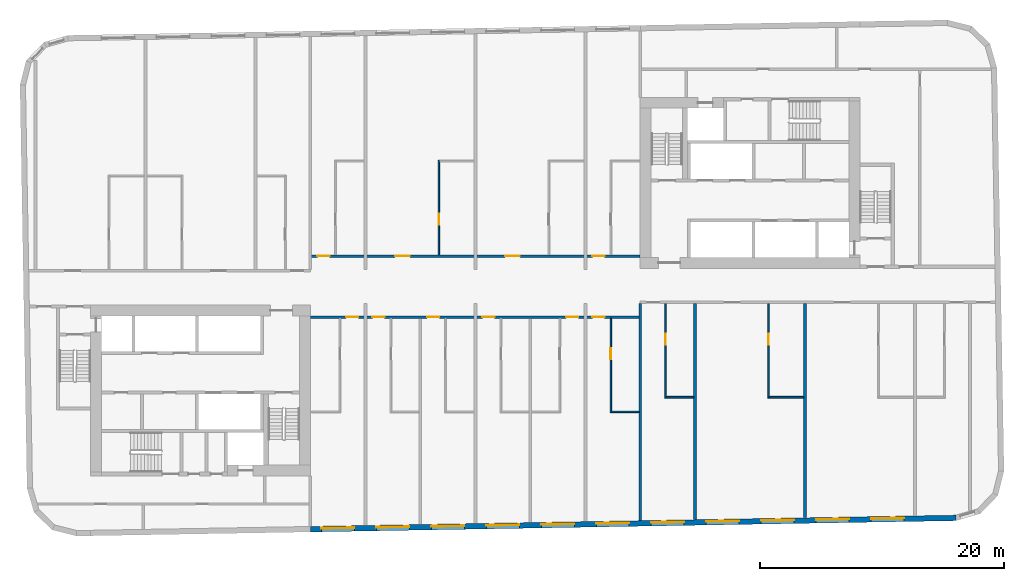
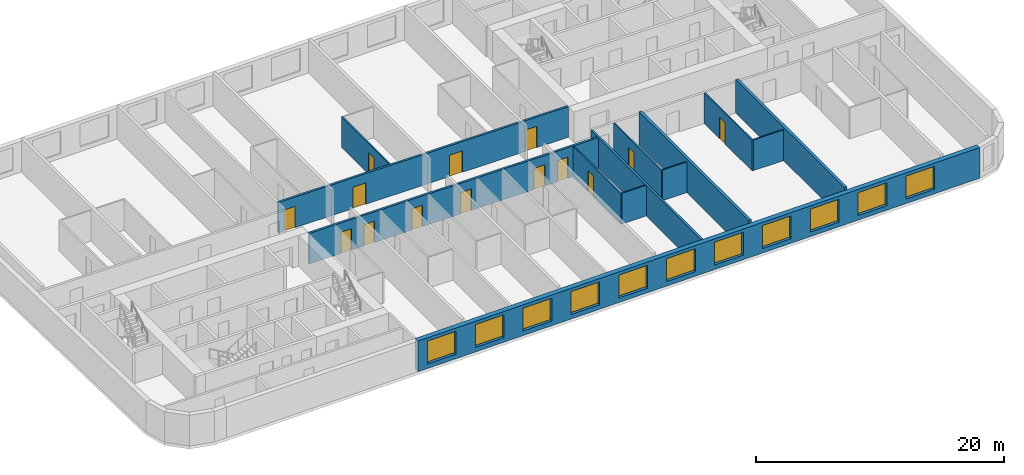
# One storey, part 4 of 11: 14 doors, 13 walls, 11 windows, 25 openings.
"""IFC4 building model written with IfcOpenShell, lengths in metres."""

from ifc_helpers import new_model, si_unit, direction, frame, frame_2d, origin, place, context, subcontext, project, spatial, rectangle, extrude, material, layer, layer_set, type_object, element, fill, save


model = new_model("IFC4")

# Units and contexts
model_context = context("Model", 3, precision=1e-05, world=origin(), true_north=direction((0.0, 1.0)))
body_context = subcontext(model_context, "Body", "Model", "MODEL_VIEW")
ifc_project = project(units=[si_unit("LENGTHUNIT", "METRE"), si_unit("AREAUNIT", "SQUARE_METRE"), si_unit("VOLUMEUNIT", "CUBIC_METRE"), si_unit("PLANEANGLEUNIT", "RADIAN"), si_unit("MASSUNIT", "GRAM", prefix="KILO")], contexts=[model_context])

# Site, building, storey
site_placement = place(None, origin())
site = spatial("IfcSite", under=ifc_project, at=site_placement, CompositionType="ELEMENT")
building_placement = place(site_placement, origin())
building = spatial("IfcBuilding", under=site, at=building_placement, Name="Kajstack Hotel Tower", CompositionType="ELEMENT")
storey_placement = place(building_placement, frame((0.0, 0.0, 244.10009765625)))
storey = spatial("IfcBuildingStorey", under=building, at=storey_placement, Name="L60", CompositionType="ELEMENT", Elevation=244.10009765625)

# Wall, openings, doors
ifc_material_1 = material(Name="Gypsum board on steel studs, mineral wool", Category="steel")
ifc_layer_1 = layer(ifc_material_1, 0.199951171875)
ifc_layer_set_1 = layer_set([ifc_layer_1], Name="Corridor wall 200")
wall_type_1 = type_object("IfcWallType", Name="Corridor wall 200", PredefinedType="PARTITIONING", material=ifc_layer_set_1)
wall_1_placement = place(storey_placement, frame((-13.5, 2.5, 0.0), z_axis=(0.0, 0.0, 1.0), x_axis=(1.0, 0.0, 0.0)))
wall_1 = element("IfcWall", 1, at=wall_1_placement, inside=storey, type_object=wall_type_1, Name="G-wall-L60-004", PredefinedType="PARTITIONING", context=body_context, shape_type="SweptSolid", body=[
    extrude(rectangle(XDim=27.0, YDim=0.199951171875, at=frame_2d((13.5, 0.0))), origin(), (0.0, 0.0, 1.0), 3.02001953125),
])
opening_1_placement = place(wall_1_placement, frame((0.574951171875, 0.0, 0.0)))
opening_1 = element("IfcOpeningElement", 2, at=opening_1_placement, cuts=wall_1, Name="Opening 60007", PredefinedType="OPENING", context=body_context, shape_type="SweptSolid", body=[
    extrude(rectangle(XDim=1.0, YDim=2.10009765625, at=frame_2d((0.5, 1.050048828125))), frame((0.0, 0.10986328125, 0.0), z_axis=(0.0, -1.0, 0.0), x_axis=(1.0, 0.0, 0.0)), (0.0, 0.0, 1.0), 0.219970703125),
])
opening_2_placement = place(wall_1_placement, frame((6.93798828125, 0.0, 0.0)))
opening_2 = element("IfcOpeningElement", 3, at=opening_2_placement, cuts=wall_1, Name="Opening 60009", PredefinedType="OPENING", context=body_context, shape_type="SweptSolid", body=[
    extrude(rectangle(XDim=1.199951171875, YDim=2.10009765625, at=frame_2d((0.60009765625, 1.050048828125))), frame((0.0, 0.10986328125, 0.0), z_axis=(0.0, -1.0, 0.0), x_axis=(1.0, 0.0, 0.0)), (0.0, 0.0, 1.0), 0.219970703125),
])
opening_3_placement = place(wall_1_placement, frame((15.93798828125, 0.0, 0.0)))
opening_3 = element("IfcOpeningElement", 4, at=opening_3_placement, cuts=wall_1, Name="Opening 60011", PredefinedType="OPENING", context=body_context, shape_type="SweptSolid", body=[
    extrude(rectangle(XDim=1.199951171875, YDim=2.10009765625, at=frame_2d((0.60009765625, 1.050048828125))), frame((0.0, 0.10986328125, 0.0), z_axis=(0.0, -1.0, 0.0), x_axis=(1.0, 0.0, 0.0)), (0.0, 0.0, 1.0), 0.219970703125),
])
opening_4_placement = place(wall_1_placement, frame((23.074951171875, 0.0, 0.0)))
opening_4 = element("IfcOpeningElement", 5, at=opening_4_placement, cuts=wall_1, Name="Opening 60013", PredefinedType="OPENING", context=body_context, shape_type="SweptSolid", body=[
    extrude(rectangle(XDim=1.0, YDim=2.10009765625, at=frame_2d((0.5, 1.050048828125))), frame((0.0, 0.10986328125, 0.0), z_axis=(0.0, -1.0, 0.0), x_axis=(1.0, 0.0, 0.0)), (0.0, 0.0, 1.0), 0.219970703125),
])
ifc_material_2 = material(Name="Oak veneer on timber core, fire-rated leaf", Category="wood")
door_type_1 = type_object("IfcDoorType", Name="Flat entrance door 1000", OperationType="SINGLE_SWING_LEFT", PredefinedType="DOOR", material=ifc_material_2)
door_1_placement = place(opening_1_placement, origin())
door_1 = element("IfcDoor", 6, at=door_1_placement, inside=storey, type_object=door_type_1, Name="G-door-L60-07", OperationType="SINGLE_SWING_LEFT", OverallHeight=2.10009765625, OverallWidth=1.0, PredefinedType="DOOR", context=body_context, shape_type="SweptSolid", body=[
    extrude(rectangle(XDim=1.0, YDim=2.10009765625, at=frame_2d((0.5, 1.050048828125))), frame((0.0, 0.02490234375, 0.0), z_axis=(0.0, -1.0, 0.0), x_axis=(1.0, 0.0, 0.0)), (0.0, 0.0, 1.0), 0.050048828125),
])
fill(opening_1, door_1)
door_2_placement = place(opening_4_placement, origin())
door_2 = element("IfcDoor", 7, at=door_2_placement, inside=storey, type_object=door_type_1, Name="G-door-L60-13", OperationType="SINGLE_SWING_RIGHT", OverallHeight=2.10009765625, OverallWidth=1.0, PredefinedType="DOOR", context=body_context, shape_type="SweptSolid", body=[
    extrude(rectangle(XDim=1.0, YDim=2.10009765625, at=frame_2d((0.5, 1.050048828125))), frame((0.0, 0.02490234375, 0.0), z_axis=(0.0, -1.0, 0.0), x_axis=(1.0, 0.0, 0.0)), (0.0, 0.0, 1.0), 0.050048828125),
])
fill(opening_4, door_2)
door_type_2 = type_object("IfcDoorType", Name="Flat entrance door 1200", OperationType="SINGLE_SWING_LEFT", PredefinedType="DOOR", material=ifc_material_2)
door_3_placement = place(opening_2_placement, origin())
door_3 = element("IfcDoor", 8, at=door_3_placement, inside=storey, type_object=door_type_2, Name="G-door-L60-09", OperationType="SINGLE_SWING_RIGHT", OverallHeight=2.10009765625, OverallWidth=1.199951171875, PredefinedType="DOOR", context=body_context, shape_type="SweptSolid", body=[
    extrude(rectangle(XDim=1.199951171875, YDim=2.10009765625, at=frame_2d((0.60009765625, 1.050048828125))), frame((0.0, 0.02490234375, 0.0), z_axis=(0.0, -1.0, 0.0), x_axis=(1.0, 0.0, 0.0)), (0.0, 0.0, 1.0), 0.050048828125),
])
fill(opening_2, door_3)
door_4_placement = place(opening_3_placement, origin())
door_4 = element("IfcDoor", 9, at=door_4_placement, inside=storey, type_object=door_type_2, Name="G-door-L60-11", OperationType="SINGLE_SWING_RIGHT", OverallHeight=2.10009765625, OverallWidth=1.199951171875, PredefinedType="DOOR", context=body_context, shape_type="SweptSolid", body=[
    extrude(rectangle(XDim=1.199951171875, YDim=2.10009765625, at=frame_2d((0.60009765625, 1.050048828125))), frame((0.0, 0.02490234375, 0.0), z_axis=(0.0, -1.0, 0.0), x_axis=(1.0, 0.0, 0.0)), (0.0, 0.0, 1.0), 0.050048828125),
])
fill(opening_3, door_4)

wall_2_placement = place(storey_placement, frame((-13.5, -2.5, 0.0), z_axis=(0.0, 0.0, 1.0), x_axis=(1.0, 0.0, 0.0)))
wall_2 = element("IfcWall", 10, at=wall_2_placement, inside=storey, type_object=wall_type_1, Name="G-wall-L60-020", PredefinedType="PARTITIONING", context=body_context, shape_type="SweptSolid", body=[
    extrude(rectangle(XDim=27.0, YDim=0.199951171875, at=frame_2d((13.5, 0.0))), origin(), (0.0, 0.0, 1.0), 3.02001953125),
])
opening_5_placement = place(wall_2_placement, frame((2.925048828125, 0.0, 0.0)))
opening_5 = element("IfcOpeningElement", 11, at=opening_5_placement, cuts=wall_2, Name="Opening 60015", PredefinedType="OPENING", context=body_context, shape_type="SweptSolid", body=[
    extrude(rectangle(XDim=1.0, YDim=2.10009765625, at=frame_2d((0.5, 1.050048828125))), frame((0.0, 0.10986328125, 0.0), z_axis=(0.0, -1.0, 0.0), x_axis=(1.0, 0.0, 0.0)), (0.0, 0.0, 1.0), 0.219970703125),
])
opening_6_placement = place(wall_2_placement, frame((5.074951171875, 0.0, 0.0)))
opening_6 = element("IfcOpeningElement", 12, at=opening_6_placement, cuts=wall_2, Name="Opening 60017", PredefinedType="OPENING", context=body_context, shape_type="SweptSolid", body=[
    extrude(rectangle(XDim=1.0, YDim=2.10009765625, at=frame_2d((0.5, 1.050048828125))), frame((0.0, 0.10986328125, 0.0), z_axis=(0.0, -1.0, 0.0), x_axis=(1.0, 0.0, 0.0)), (0.0, 0.0, 1.0), 0.219970703125),
])
opening_7_placement = place(wall_2_placement, frame((9.550048828125, 0.0, 0.0)))
opening_7 = element("IfcOpeningElement", 13, at=opening_7_placement, cuts=wall_2, Name="Opening 60019", PredefinedType="OPENING", context=body_context, shape_type="SweptSolid", body=[
    extrude(rectangle(XDim=1.0, YDim=2.10009765625, at=frame_2d((0.5, 1.050048828125))), frame((0.0, 0.10986328125, 0.0), z_axis=(0.0, -1.0, 0.0), x_axis=(1.0, 0.0, 0.0)), (0.0, 0.0, 1.0), 0.219970703125),
])
opening_8_placement = place(wall_2_placement, frame((14.074951171875, 0.0, 0.0)))
opening_8 = element("IfcOpeningElement", 14, at=opening_8_placement, cuts=wall_2, Name="Opening 60021", PredefinedType="OPENING", context=body_context, shape_type="SweptSolid", body=[
    extrude(rectangle(XDim=1.0, YDim=2.10009765625, at=frame_2d((0.5, 1.050048828125))), frame((0.0, 0.10986328125, 0.0), z_axis=(0.0, -1.0, 0.0), x_axis=(1.0, 0.0, 0.0)), (0.0, 0.0, 1.0), 0.219970703125),
])
opening_9_placement = place(wall_2_placement, frame((20.925048828125, 0.0, 0.0)))
opening_9 = element("IfcOpeningElement", 15, at=opening_9_placement, cuts=wall_2, Name="Opening 60023", PredefinedType="OPENING", context=body_context, shape_type="SweptSolid", body=[
    extrude(rectangle(XDim=1.0, YDim=2.10009765625, at=frame_2d((0.5, 1.050048828125))), frame((0.0, 0.10986328125, 0.0), z_axis=(0.0, -1.0, 0.0), x_axis=(1.0, 0.0, 0.0)), (0.0, 0.0, 1.0), 0.219970703125),
])
opening_10_placement = place(wall_2_placement, frame((23.074951171875, 0.0, 0.0)))
opening_10 = element("IfcOpeningElement", 16, at=opening_10_placement, cuts=wall_2, Name="Opening 60025", PredefinedType="OPENING", context=body_context, shape_type="SweptSolid", body=[
    extrude(rectangle(XDim=1.0, YDim=2.10009765625, at=frame_2d((0.5, 1.050048828125))), frame((0.0, 0.10986328125, 0.0), z_axis=(0.0, -1.0, 0.0), x_axis=(1.0, 0.0, 0.0)), (0.0, 0.0, 1.0), 0.219970703125),
])
door_5_placement = place(opening_5_placement, origin())
door_5 = element("IfcDoor", 17, at=door_5_placement, inside=storey, type_object=door_type_1, Name="G-door-L60-15", OperationType="SINGLE_SWING_RIGHT", OverallHeight=2.10009765625, OverallWidth=1.0, PredefinedType="DOOR", context=body_context, shape_type="SweptSolid", body=[
    extrude(rectangle(XDim=1.0, YDim=2.10009765625, at=frame_2d((0.5, 1.050048828125))), frame((0.0, 0.02490234375, 0.0), z_axis=(0.0, -1.0, 0.0), x_axis=(1.0, 0.0, 0.0)), (0.0, 0.0, 1.0), 0.050048828125),
])
fill(opening_5, door_5)
door_6_placement = place(opening_6_placement, origin())
door_6 = element("IfcDoor", 18, at=door_6_placement, inside=storey, type_object=door_type_1, Name="G-door-L60-17", OperationType="SINGLE_SWING_RIGHT", OverallHeight=2.10009765625, OverallWidth=1.0, PredefinedType="DOOR", context=body_context, shape_type="SweptSolid", body=[
    extrude(rectangle(XDim=1.0, YDim=2.10009765625, at=frame_2d((0.5, 1.050048828125))), frame((0.0, 0.02490234375, 0.0), z_axis=(0.0, -1.0, 0.0), x_axis=(1.0, 0.0, 0.0)), (0.0, 0.0, 1.0), 0.050048828125),
])
fill(opening_6, door_6)
door_7_placement = place(opening_7_placement, origin())
door_7 = element("IfcDoor", 19, at=door_7_placement, inside=storey, type_object=door_type_1, Name="G-door-L60-19", OperationType="SINGLE_SWING_RIGHT", OverallHeight=2.10009765625, OverallWidth=1.0, PredefinedType="DOOR", context=body_context, shape_type="SweptSolid", body=[
    extrude(rectangle(XDim=1.0, YDim=2.10009765625, at=frame_2d((0.5, 1.050048828125))), frame((0.0, 0.02490234375, 0.0), z_axis=(0.0, -1.0, 0.0), x_axis=(1.0, 0.0, 0.0)), (0.0, 0.0, 1.0), 0.050048828125),
])
fill(opening_7, door_7)
door_8_placement = place(opening_8_placement, origin())
door_8 = element("IfcDoor", 20, at=door_8_placement, inside=storey, type_object=door_type_1, Name="G-door-L60-21", OperationType="SINGLE_SWING_LEFT", OverallHeight=2.10009765625, OverallWidth=1.0, PredefinedType="DOOR", context=body_context, shape_type="SweptSolid", body=[
    extrude(rectangle(XDim=1.0, YDim=2.10009765625, at=frame_2d((0.5, 1.050048828125))), frame((0.0, 0.02490234375, 0.0), z_axis=(0.0, -1.0, 0.0), x_axis=(1.0, 0.0, 0.0)), (0.0, 0.0, 1.0), 0.050048828125),
])
fill(opening_8, door_8)
door_9_placement = place(opening_9_placement, origin())
door_9 = element("IfcDoor", 21, at=door_9_placement, inside=storey, type_object=door_type_1, Name="G-door-L60-23", OperationType="SINGLE_SWING_RIGHT", OverallHeight=2.10009765625, OverallWidth=1.0, PredefinedType="DOOR", context=body_context, shape_type="SweptSolid", body=[
    extrude(rectangle(XDim=1.0, YDim=2.10009765625, at=frame_2d((0.5, 1.050048828125))), frame((0.0, 0.02490234375, 0.0), z_axis=(0.0, -1.0, 0.0), x_axis=(1.0, 0.0, 0.0)), (0.0, 0.0, 1.0), 0.050048828125),
])
fill(opening_9, door_9)
door_10_placement = place(opening_10_placement, origin())
door_10 = element("IfcDoor", 22, at=door_10_placement, inside=storey, type_object=door_type_1, Name="G-door-L60-25", OperationType="SINGLE_SWING_RIGHT", OverallHeight=2.10009765625, OverallWidth=1.0, PredefinedType="DOOR", context=body_context, shape_type="SweptSolid", body=[
    extrude(rectangle(XDim=1.0, YDim=2.10009765625, at=frame_2d((0.5, 1.050048828125))), frame((0.0, 0.02490234375, 0.0), z_axis=(0.0, -1.0, 0.0), x_axis=(1.0, 0.0, 0.0)), (0.0, 0.0, 1.0), 0.050048828125),
])
fill(opening_10, door_10)

# Wall
ifc_material_3 = material(Name="Twin-frame gypsum board on steel studs, mineral wool", Category="steel")
ifc_layer_2 = layer(ifc_material_3, 0.199951171875)
ifc_layer_set_2 = layer_set([ifc_layer_2], Name="Demising wall 200")
wall_type_2 = type_object("IfcWallType", Name="Demising wall 200", PredefinedType="PARTITIONING", material=ifc_layer_set_2)
wall_3_placement = place(storey_placement, frame((13.5, -19.169921875, 0.0), z_axis=(0.0, 0.0, 1.0), x_axis=(0.0, 1.0, 0.0)))
element("IfcWall", 23, at=wall_3_placement, inside=storey, type_object=wall_type_2, Name="G-wall-L60-034", PredefinedType="PARTITIONING", context=body_context, shape_type="SweptSolid", body=[
    extrude(rectangle(XDim=17.77001953125, YDim=0.199951171875, at=frame_2d((8.885009765625, 0.0))), origin(), (0.0, 0.0, 1.0), 3.02001953125),
])

# Wall, openings, windows
ifc_material_4 = material(Name="Terracotta-faced brick masonry", Category="masonry")
ifc_layer_3 = layer(ifc_material_4, 0.449951171875)
ifc_layer_set_3 = layer_set([ifc_layer_3], Name="EW-TERRA")
wall_type_3 = type_object("IfcWallType", Name="EW-TERRA", PredefinedType="SOLIDWALL", material=ifc_layer_set_3)
wall_4_placement = place(storey_placement, frame((-13.50390625, -19.8662109375, 0.0), z_axis=(0.0, 0.0, 1.0), x_axis=(0.999847672978, 0.017453676992, 0.0)))
wall_4 = element("IfcWall", 24, at=wall_4_placement, inside=storey, type_object=wall_type_3, Name="E-wall-L60-04-02", PredefinedType="SOLIDWALL", context=body_context, shape_type="SweptSolid", body=[
    extrude(rectangle(XDim=52.8603515625, YDim=0.449951171875, at=frame_2d((26.43017578125, 0.0))), origin(), (0.0, 0.0, 1.0), 3.02001953125),
])
opening_11_placement = place(wall_4_placement, frame((0.900390625, 0.0, 0.449951171875)))
opening_11 = element("IfcOpeningElement", 25, at=opening_11_placement, cuts=wall_4, Name="Opening W1", PredefinedType="OPENING", context=body_context, shape_type="SweptSolid", body=[
    extrude(rectangle(XDim=2.699951171875, YDim=2.25, at=frame_2d((1.35009765625, 1.125))), frame((0.0, 0.23486328125, 0.0), z_axis=(0.0, -1.0, 0.0), x_axis=(1.0, 0.0, 0.0)), (0.0, 0.0, 1.0), 0.469970703125),
])
opening_12_placement = place(wall_4_placement, frame((5.40087890625, 0.0, 0.449951171875)))
opening_12 = element("IfcOpeningElement", 26, at=opening_12_placement, cuts=wall_4, Name="Opening W1", PredefinedType="OPENING", context=body_context, shape_type="SweptSolid", body=[
    extrude(rectangle(XDim=2.699951171875, YDim=2.25, at=frame_2d((1.35009765625, 1.125))), frame((0.0, 0.23486328125, 0.0), z_axis=(0.0, -1.0, 0.0), x_axis=(1.0, 0.0, 0.0)), (0.0, 0.0, 1.0), 0.469970703125),
])
opening_13_placement = place(wall_4_placement, frame((9.901611328125, 0.0, 0.449951171875)))
opening_13 = element("IfcOpeningElement", 27, at=opening_13_placement, cuts=wall_4, Name="Opening W1", PredefinedType="OPENING", context=body_context, shape_type="SweptSolid", body=[
    extrude(rectangle(XDim=2.699951171875, YDim=2.25, at=frame_2d((1.35009765625, 1.125))), frame((0.0, 0.23486328125, 0.0), z_axis=(0.0, -1.0, 0.0), x_axis=(1.0, 0.0, 0.0)), (0.0, 0.0, 1.0), 0.469970703125),
])
opening_14_placement = place(wall_4_placement, frame((14.40234375, 0.0, 0.449951171875)))
opening_14 = element("IfcOpeningElement", 28, at=opening_14_placement, cuts=wall_4, Name="Opening W1", PredefinedType="OPENING", context=body_context, shape_type="SweptSolid", body=[
    extrude(rectangle(XDim=2.699951171875, YDim=2.25, at=frame_2d((1.35009765625, 1.125))), frame((0.0, 0.23486328125, 0.0), z_axis=(0.0, -1.0, 0.0), x_axis=(1.0, 0.0, 0.0)), (0.0, 0.0, 1.0), 0.469970703125),
])
opening_15_placement = place(wall_4_placement, frame((18.903076171875, 0.0, 0.449951171875)))
opening_15 = element("IfcOpeningElement", 29, at=opening_15_placement, cuts=wall_4, Name="Opening W1", PredefinedType="OPENING", context=body_context, shape_type="SweptSolid", body=[
    extrude(rectangle(XDim=2.699951171875, YDim=2.25, at=frame_2d((1.35009765625, 1.125))), frame((0.0, 0.23486328125, 0.0), z_axis=(0.0, -1.0, 0.0), x_axis=(1.0, 0.0, 0.0)), (0.0, 0.0, 1.0), 0.469970703125),
])
opening_16_placement = place(wall_4_placement, frame((23.40380859375, 0.0, 0.449951171875)))
opening_16 = element("IfcOpeningElement", 30, at=opening_16_placement, cuts=wall_4, Name="Opening W1", PredefinedType="OPENING", context=body_context, shape_type="SweptSolid", body=[
    extrude(rectangle(XDim=2.699951171875, YDim=2.25, at=frame_2d((1.35009765625, 1.125))), frame((0.0, 0.23486328125, 0.0), z_axis=(0.0, -1.0, 0.0), x_axis=(1.0, 0.0, 0.0)), (0.0, 0.0, 1.0), 0.469970703125),
])
opening_17_placement = place(wall_4_placement, frame((27.904296875, 0.0, 0.449951171875)))
opening_17 = element("IfcOpeningElement", 31, at=opening_17_placement, cuts=wall_4, Name="Opening W1", PredefinedType="OPENING", context=body_context, shape_type="SweptSolid", body=[
    extrude(rectangle(XDim=2.699951171875, YDim=2.25, at=frame_2d((1.35009765625, 1.125))), frame((0.0, 0.23486328125, 0.0), z_axis=(0.0, -1.0, 0.0), x_axis=(1.0, 0.0, 0.0)), (0.0, 0.0, 1.0), 0.469970703125),
])
opening_18_placement = place(wall_4_placement, frame((32.405029296875, 0.0, 0.449951171875)))
opening_18 = element("IfcOpeningElement", 32, at=opening_18_placement, cuts=wall_4, Name="Opening W1", PredefinedType="OPENING", context=body_context, shape_type="SweptSolid", body=[
    extrude(rectangle(XDim=2.699951171875, YDim=2.25, at=frame_2d((1.35009765625, 1.125))), frame((0.0, 0.23486328125, 0.0), z_axis=(0.0, -1.0, 0.0), x_axis=(1.0, 0.0, 0.0)), (0.0, 0.0, 1.0), 0.469970703125),
])
opening_19_placement = place(wall_4_placement, frame((36.90576171875, 0.0, 0.449951171875)))
opening_19 = element("IfcOpeningElement", 33, at=opening_19_placement, cuts=wall_4, Name="Opening W1", PredefinedType="OPENING", context=body_context, shape_type="SweptSolid", body=[
    extrude(rectangle(XDim=2.699951171875, YDim=2.25, at=frame_2d((1.35009765625, 1.125))), frame((0.0, 0.23486328125, 0.0), z_axis=(0.0, -1.0, 0.0), x_axis=(1.0, 0.0, 0.0)), (0.0, 0.0, 1.0), 0.469970703125),
])
opening_20_placement = place(wall_4_placement, frame((41.406494140625, 0.0, 0.449951171875)))
opening_20 = element("IfcOpeningElement", 34, at=opening_20_placement, cuts=wall_4, Name="Opening W1", PredefinedType="OPENING", context=body_context, shape_type="SweptSolid", body=[
    extrude(rectangle(XDim=2.699951171875, YDim=2.25, at=frame_2d((1.35009765625, 1.125))), frame((0.0, 0.23486328125, 0.0), z_axis=(0.0, -1.0, 0.0), x_axis=(1.0, 0.0, 0.0)), (0.0, 0.0, 1.0), 0.469970703125),
])
opening_21_placement = place(wall_4_placement, frame((45.9072265625, 0.0, 0.449951171875)))
opening_21 = element("IfcOpeningElement", 35, at=opening_21_placement, cuts=wall_4, Name="Opening W1", PredefinedType="OPENING", context=body_context, shape_type="SweptSolid", body=[
    extrude(rectangle(XDim=2.699951171875, YDim=2.25, at=frame_2d((1.35009765625, 1.125))), frame((0.0, 0.23486328125, 0.0), z_axis=(0.0, -1.0, 0.0), x_axis=(1.0, 0.0, 0.0)), (0.0, 0.0, 1.0), 0.469970703125),
])
ifc_material_5 = material(Name="Timber-aluminium window, triple glazed", Category="wood")
window_type = type_object("IfcWindowType", Name="WG1", PartitioningType="SINGLE_PANEL", PredefinedType="WINDOW", material=ifc_material_5)
window_1_placement = place(opening_11_placement, origin())
window_1 = element("IfcWindow", 36, at=window_1_placement, inside=storey, type_object=window_type, Name="Window W1 L60-04", OverallHeight=2.25, OverallWidth=2.699951171875, PartitioningType="SINGLE_PANEL", PredefinedType="WINDOW", context=body_context, shape_type="SweptSolid", body=[
    extrude(rectangle(XDim=2.699951171875, YDim=2.25, at=frame_2d((1.35009765625, 1.125))), frame((0.0, 0.090087890625, 0.0), z_axis=(0.0, -1.0, 0.0), x_axis=(1.0, 0.0, 0.0)), (0.0, 0.0, 1.0), 0.06005859375),
])
fill(opening_11, window_1)
window_2_placement = place(opening_12_placement, origin())
window_2 = element("IfcWindow", 37, at=window_2_placement, inside=storey, type_object=window_type, Name="Window W1 L60-04", OverallHeight=2.25, OverallWidth=2.699951171875, PartitioningType="SINGLE_PANEL", PredefinedType="WINDOW", context=body_context, shape_type="SweptSolid", body=[
    extrude(rectangle(XDim=2.699951171875, YDim=2.25, at=frame_2d((1.35009765625, 1.125))), frame((0.0, 0.090087890625, 0.0), z_axis=(0.0, -1.0, 0.0), x_axis=(1.0, 0.0, 0.0)), (0.0, 0.0, 1.0), 0.06005859375),
])
fill(opening_12, window_2)
window_3_placement = place(opening_13_placement, origin())
window_3 = element("IfcWindow", 38, at=window_3_placement, inside=storey, type_object=window_type, Name="Window W1 L60-04", OverallHeight=2.25, OverallWidth=2.699951171875, PartitioningType="SINGLE_PANEL", PredefinedType="WINDOW", context=body_context, shape_type="SweptSolid", body=[
    extrude(rectangle(XDim=2.699951171875, YDim=2.25, at=frame_2d((1.35009765625, 1.125))), frame((0.0, 0.090087890625, 0.0), z_axis=(0.0, -1.0, 0.0), x_axis=(1.0, 0.0, 0.0)), (0.0, 0.0, 1.0), 0.06005859375),
])
fill(opening_13, window_3)
window_4_placement = place(opening_14_placement, origin())
window_4 = element("IfcWindow", 39, at=window_4_placement, inside=storey, type_object=window_type, Name="Window W1 L60-04", OverallHeight=2.25, OverallWidth=2.699951171875, PartitioningType="SINGLE_PANEL", PredefinedType="WINDOW", context=body_context, shape_type="SweptSolid", body=[
    extrude(rectangle(XDim=2.699951171875, YDim=2.25, at=frame_2d((1.35009765625, 1.125))), frame((0.0, 0.090087890625, 0.0), z_axis=(0.0, -1.0, 0.0), x_axis=(1.0, 0.0, 0.0)), (0.0, 0.0, 1.0), 0.06005859375),
])
fill(opening_14, window_4)
window_5_placement = place(opening_15_placement, origin())
window_5 = element("IfcWindow", 40, at=window_5_placement, inside=storey, type_object=window_type, Name="Window W1 L60-04", OverallHeight=2.25, OverallWidth=2.699951171875, PartitioningType="SINGLE_PANEL", PredefinedType="WINDOW", context=body_context, shape_type="SweptSolid", body=[
    extrude(rectangle(XDim=2.699951171875, YDim=2.25, at=frame_2d((1.35009765625, 1.125))), frame((0.0, 0.090087890625, 0.0), z_axis=(0.0, -1.0, 0.0), x_axis=(1.0, 0.0, 0.0)), (0.0, 0.0, 1.0), 0.06005859375),
])
fill(opening_15, window_5)
window_6_placement = place(opening_16_placement, origin())
window_6 = element("IfcWindow", 41, at=window_6_placement, inside=storey, type_object=window_type, Name="Window W1 L60-04", OverallHeight=2.25, OverallWidth=2.699951171875, PartitioningType="SINGLE_PANEL", PredefinedType="WINDOW", context=body_context, shape_type="SweptSolid", body=[
    extrude(rectangle(XDim=2.699951171875, YDim=2.25, at=frame_2d((1.35009765625, 1.125))), frame((0.0, 0.090087890625, 0.0), z_axis=(0.0, -1.0, 0.0), x_axis=(1.0, 0.0, 0.0)), (0.0, 0.0, 1.0), 0.06005859375),
])
fill(opening_16, window_6)
window_7_placement = place(opening_17_placement, origin())
window_7 = element("IfcWindow", 42, at=window_7_placement, inside=storey, type_object=window_type, Name="Window W1 L60-04", OverallHeight=2.25, OverallWidth=2.699951171875, PartitioningType="SINGLE_PANEL", PredefinedType="WINDOW", context=body_context, shape_type="SweptSolid", body=[
    extrude(rectangle(XDim=2.699951171875, YDim=2.25, at=frame_2d((1.35009765625, 1.125))), frame((0.0, 0.090087890625, 0.0), z_axis=(0.0, -1.0, 0.0), x_axis=(1.0, 0.0, 0.0)), (0.0, 0.0, 1.0), 0.06005859375),
])
fill(opening_17, window_7)
window_8_placement = place(opening_18_placement, origin())
window_8 = element("IfcWindow", 43, at=window_8_placement, inside=storey, type_object=window_type, Name="Window W1 L60-04", OverallHeight=2.25, OverallWidth=2.699951171875, PartitioningType="SINGLE_PANEL", PredefinedType="WINDOW", context=body_context, shape_type="SweptSolid", body=[
    extrude(rectangle(XDim=2.699951171875, YDim=2.25, at=frame_2d((1.35009765625, 1.125))), frame((0.0, 0.090087890625, 0.0), z_axis=(0.0, -1.0, 0.0), x_axis=(1.0, 0.0, 0.0)), (0.0, 0.0, 1.0), 0.06005859375),
])
fill(opening_18, window_8)
window_9_placement = place(opening_19_placement, origin())
window_9 = element("IfcWindow", 44, at=window_9_placement, inside=storey, type_object=window_type, Name="Window W1 L60-04", OverallHeight=2.25, OverallWidth=2.699951171875, PartitioningType="SINGLE_PANEL", PredefinedType="WINDOW", context=body_context, shape_type="SweptSolid", body=[
    extrude(rectangle(XDim=2.699951171875, YDim=2.25, at=frame_2d((1.35009765625, 1.125))), frame((0.0, 0.090087890625, 0.0), z_axis=(0.0, -1.0, 0.0), x_axis=(1.0, 0.0, 0.0)), (0.0, 0.0, 1.0), 0.06005859375),
])
fill(opening_19, window_9)
window_10_placement = place(opening_20_placement, origin())
window_10 = element("IfcWindow", 45, at=window_10_placement, inside=storey, type_object=window_type, Name="Window W1 L60-04", OverallHeight=2.25, OverallWidth=2.699951171875, PartitioningType="SINGLE_PANEL", PredefinedType="WINDOW", context=body_context, shape_type="SweptSolid", body=[
    extrude(rectangle(XDim=2.699951171875, YDim=2.25, at=frame_2d((1.35009765625, 1.125))), frame((0.0, 0.090087890625, 0.0), z_axis=(0.0, -1.0, 0.0), x_axis=(1.0, 0.0, 0.0)), (0.0, 0.0, 1.0), 0.06005859375),
])
fill(opening_20, window_10)
window_11_placement = place(opening_21_placement, origin())
window_11 = element("IfcWindow", 46, at=window_11_placement, inside=storey, type_object=window_type, Name="Window W1 L60-04", OverallHeight=2.25, OverallWidth=2.699951171875, PartitioningType="SINGLE_PANEL", PredefinedType="WINDOW", context=body_context, shape_type="SweptSolid", body=[
    extrude(rectangle(XDim=2.699951171875, YDim=2.25, at=frame_2d((1.35009765625, 1.125))), frame((0.0, 0.090087890625, 0.0), z_axis=(0.0, -1.0, 0.0), x_axis=(1.0, 0.0, 0.0)), (0.0, 0.0, 1.0), 0.06005859375),
])
fill(opening_21, window_11)

# Wall, opening, door
ifc_material_6 = material(Name="Gypsum board and tiled backer on steel studs", Category="steel")
ifc_layer_4 = layer(ifc_material_6, 0.125)
ifc_layer_set_4 = layer_set([ifc_layer_4], Name="En-suite wall 125")
wall_type_4 = type_object("IfcWallType", Name="En-suite wall 125", PredefinedType="PARTITIONING", material=ifc_layer_set_4)
wall_5_placement = place(storey_placement, frame((-2.987060546875, 2.60009765625, 0.0), z_axis=(0.0, 0.0, 1.0), x_axis=(0.0, 1.0, 0.0)))
wall_5 = element("IfcWall", 47, at=wall_5_placement, inside=storey, type_object=wall_type_4, Name="G-wall-L60-014", PredefinedType="PARTITIONING", context=body_context, shape_type="SweptSolid", body=[
    extrude(rectangle(XDim=7.724853515625, YDim=0.125, at=frame_2d((3.8623046875, 0.0))), origin(), (0.0, 0.0, 1.0), 3.02001953125),
])
opening_22_placement = place(wall_5_placement, frame((2.449951171875, 0.0, 0.0)))
opening_22 = element("IfcOpeningElement", 48, at=opening_22_placement, cuts=wall_5, Name="Opening 60010", PredefinedType="OPENING", context=body_context, shape_type="SweptSolid", body=[
    extrude(rectangle(XDim=0.89990234375, YDim=2.10009765625, at=frame_2d((0.449951171875, 1.050048828125))), frame((0.0, 0.072509765625, 0.0), z_axis=(0.0, -1.0, 0.0), x_axis=(1.0, 0.0, 0.0)), (0.0, 0.0, 1.0), 0.14501953125),
])
ifc_material_7 = material(Name="Painted timber door leaf", Category="wood")
door_type_3 = type_object("IfcDoorType", Name="Room door 900", OperationType="SINGLE_SWING_LEFT", PredefinedType="DOOR", material=ifc_material_7)
door_11_placement = place(opening_22_placement, origin())
door_11 = element("IfcDoor", 49, at=door_11_placement, inside=storey, type_object=door_type_3, Name="G-door-L60-10", OperationType="SINGLE_SWING_LEFT", OverallHeight=2.10009765625, OverallWidth=0.89990234375, PredefinedType="DOOR", context=body_context, shape_type="SweptSolid", body=[
    extrude(rectangle(XDim=0.89990234375, YDim=2.10009765625, at=frame_2d((0.449951171875, 1.050048828125))), frame((0.0, 0.02490234375, 0.0), z_axis=(0.0, -1.0, 0.0), x_axis=(1.0, 0.0, 0.0)), (0.0, 0.0, 1.0), 0.050048828125),
])
fill(opening_22, door_11)

wall_6_placement = place(storey_placement, frame((11.087890625, -10.324951171875, 0.0), z_axis=(0.0, 0.0, 1.0), x_axis=(0.0, 1.0, 0.0)))
wall_6 = element("IfcWall", 50, at=wall_6_placement, inside=storey, type_object=wall_type_4, Name="G-wall-L60-035", PredefinedType="PARTITIONING", context=body_context, shape_type="SweptSolid", body=[
    extrude(rectangle(XDim=7.724853515625, YDim=0.125, at=frame_2d((3.8623046875, 0.0))), origin(), (0.0, 0.0, 1.0), 3.02001953125),
])
opening_23_placement = place(wall_6_placement, frame((4.375, 0.0, 0.0)))
opening_23 = element("IfcOpeningElement", 51, at=opening_23_placement, cuts=wall_6, Name="Opening 60026", PredefinedType="OPENING", context=body_context, shape_type="SweptSolid", body=[
    extrude(rectangle(XDim=0.89990234375, YDim=2.10009765625, at=frame_2d((0.449951171875, 1.050048828125))), frame((0.0, 0.072509765625, 0.0), z_axis=(0.0, -1.0, 0.0), x_axis=(1.0, 0.0, 0.0)), (0.0, 0.0, 1.0), 0.14501953125),
])
door_12_placement = place(opening_23_placement, origin())
door_12 = element("IfcDoor", 52, at=door_12_placement, inside=storey, type_object=door_type_3, Name="G-door-L60-26", OperationType="SINGLE_SWING_LEFT", OverallHeight=2.10009765625, OverallWidth=0.89990234375, PredefinedType="DOOR", context=body_context, shape_type="SweptSolid", body=[
    extrude(rectangle(XDim=0.89990234375, YDim=2.10009765625, at=frame_2d((0.449951171875, 1.050048828125))), frame((0.0, 0.02490234375, 0.0), z_axis=(0.0, -1.0, 0.0), x_axis=(1.0, 0.0, 0.0)), (0.0, 0.0, 1.0), 0.050048828125),
])
fill(opening_23, door_12)

# Wall
wall_7_placement = place(storey_placement, frame((11.14990234375, -10.261962890625, 0.0), z_axis=(0.0, 0.0, 1.0), x_axis=(1.0, 0.0, 0.0)))
element("IfcWall", 53, at=wall_7_placement, inside=storey, type_object=wall_type_4, Name="G-wall-L60-036", PredefinedType="PARTITIONING", context=body_context, shape_type="SweptSolid", body=[
    extrude(rectangle(XDim=2.25, YDim=0.125, at=frame_2d((1.125, 0.0))), origin(), (0.0, 0.0, 1.0), 3.02001953125),
])

# Wall, opening, door
wall_8_placement = place(storey_placement, frame((15.56201171875, -9.125, 0.0), z_axis=(0.0, 0.0, 1.0), x_axis=(0.0, 1.0, 0.0)))
wall_8 = element("IfcWall", 54, at=wall_8_placement, inside=storey, type_object=wall_type_4, Name="G-wall-L60-037", PredefinedType="PARTITIONING", context=body_context, shape_type="SweptSolid", body=[
    extrude(rectangle(XDim=7.72509765625, YDim=0.125, at=frame_2d((3.862548828125, 0.0))), origin(), (0.0, 0.0, 1.0), 3.02001953125),
])
opening_24_placement = place(wall_8_placement, frame((4.375, 0.0, 0.0)))
opening_24 = element("IfcOpeningElement", 55, at=opening_24_placement, cuts=wall_8, Name="Opening 60028", PredefinedType="OPENING", context=body_context, shape_type="SweptSolid", body=[
    extrude(rectangle(XDim=0.89990234375, YDim=2.10009765625, at=frame_2d((0.449951171875, 1.050048828125))), frame((0.0, 0.072509765625, 0.0), z_axis=(0.0, -1.0, 0.0), x_axis=(1.0, 0.0, 0.0)), (0.0, 0.0, 1.0), 0.14501953125),
])
door_13_placement = place(opening_24_placement, origin())
door_13 = element("IfcDoor", 56, at=door_13_placement, inside=storey, type_object=door_type_3, Name="G-door-L60-28", OperationType="SINGLE_SWING_LEFT", OverallHeight=2.10009765625, OverallWidth=0.89990234375, PredefinedType="DOOR", context=body_context, shape_type="SweptSolid", body=[
    extrude(rectangle(XDim=0.89990234375, YDim=2.10009765625, at=frame_2d((0.449951171875, 1.050048828125))), frame((0.0, 0.02490234375, 0.0), z_axis=(0.0, -1.0, 0.0), x_axis=(1.0, 0.0, 0.0)), (0.0, 0.0, 1.0), 0.050048828125),
])
fill(opening_24, door_13)

# Wall
wall_9_placement = place(storey_placement, frame((15.625, -9.06201171875, 0.0), z_axis=(0.0, 0.0, 1.0), x_axis=(1.0, 0.0, 0.0)))
element("IfcWall", 57, at=wall_9_placement, inside=storey, type_object=wall_type_4, Name="G-wall-L60-038", PredefinedType="PARTITIONING", context=body_context, shape_type="SweptSolid", body=[
    extrude(rectangle(XDim=2.25, YDim=0.125, at=frame_2d((1.125, 0.0))), origin(), (0.0, 0.0, 1.0), 3.02001953125),
])

# Wall, opening, door
wall_10_placement = place(storey_placement, frame((24.011962890625, -9.125, 0.0), z_axis=(0.0, 0.0, 1.0), x_axis=(0.0, 1.0, 0.0)))
wall_10 = element("IfcWall", 58, at=wall_10_placement, inside=storey, type_object=wall_type_4, Name="G-wall-L60-039", PredefinedType="PARTITIONING", context=body_context, shape_type="SweptSolid", body=[
    extrude(rectangle(XDim=7.72509765625, YDim=0.125, at=frame_2d((3.862548828125, 0.0))), origin(), (0.0, 0.0, 1.0), 3.02001953125),
])
opening_25_placement = place(wall_10_placement, frame((4.375, 0.0, 0.0)))
opening_25 = element("IfcOpeningElement", 59, at=opening_25_placement, cuts=wall_10, Name="Opening 60030", PredefinedType="OPENING", context=body_context, shape_type="SweptSolid", body=[
    extrude(rectangle(XDim=0.89990234375, YDim=2.10009765625, at=frame_2d((0.449951171875, 1.050048828125))), frame((0.0, 0.072509765625, 0.0), z_axis=(0.0, -1.0, 0.0), x_axis=(1.0, 0.0, 0.0)), (0.0, 0.0, 1.0), 0.14501953125),
])
door_14_placement = place(opening_25_placement, origin())
door_14 = element("IfcDoor", 60, at=door_14_placement, inside=storey, type_object=door_type_3, Name="G-door-L60-30", OperationType="SINGLE_SWING_RIGHT", OverallHeight=2.10009765625, OverallWidth=0.89990234375, PredefinedType="DOOR", context=body_context, shape_type="SweptSolid", body=[
    extrude(rectangle(XDim=0.89990234375, YDim=2.10009765625, at=frame_2d((0.449951171875, 1.050048828125))), frame((0.0, 0.02490234375, 0.0), z_axis=(0.0, -1.0, 0.0), x_axis=(1.0, 0.0, 0.0)), (0.0, 0.0, 1.0), 0.050048828125),
])
fill(opening_25, door_14)

# Walls
wall_11_placement = place(storey_placement, frame((24.074951171875, -9.06201171875, 0.0), z_axis=(0.0, 0.0, 1.0), x_axis=(1.0, 0.0, 0.0)))
element("IfcWall", 61, at=wall_11_placement, inside=storey, type_object=wall_type_4, Name="G-wall-L60-040", PredefinedType="PARTITIONING", context=body_context, shape_type="SweptSolid", body=[
    extrude(rectangle(XDim=2.800048828125, YDim=0.125, at=frame_2d((1.39990234375, 0.0))), origin(), (0.0, 0.0, 1.0), 3.02001953125),
])
ifc_material_8 = material(Name="Concrete C45/55", Category="concrete")
ifc_layer_5 = layer(ifc_material_8, 0.25)
ifc_layer_set_5 = layer_set([ifc_layer_5], Name="RC cross wall 250 C45/55")
wall_type_5 = type_object("IfcWallType", Name="RC cross wall 250 C45/55", PredefinedType="SHEAR", material=ifc_layer_set_5)
wall_12_placement = place(storey_placement, frame((18.0, -19.0791015625, 0.0), z_axis=(0.0, 0.0, 1.0), x_axis=(0.0, 1.0, 0.0)))
element("IfcWall", 62, at=wall_12_placement, inside=storey, type_object=wall_type_5, Name="S-wall-L60-10", PredefinedType="SHEAR", context=body_context, shape_type="SweptSolid", body=[
    extrude(rectangle(XDim=17.67919921875, YDim=0.25, at=frame_2d((8.839599609375, 0.0))), origin(), (0.0, 0.0, 1.0), 3.2998046875),
])
wall_13_placement = place(storey_placement, frame((27.0, -18.922119140625, 0.0), z_axis=(0.0, 0.0, 1.0), x_axis=(0.0, 1.0, 0.0)))
element("IfcWall", 63, at=wall_13_placement, inside=storey, type_object=wall_type_5, Name="S-wall-L60-11", PredefinedType="SHEAR", context=body_context, shape_type="SweptSolid", body=[
    extrude(rectangle(XDim=17.522216796875, YDim=0.25, at=frame_2d((8.76123046875, 0.0))), origin(), (0.0, 0.0, 1.0), 3.2998046875),
])

save(model, "model.ifc")
